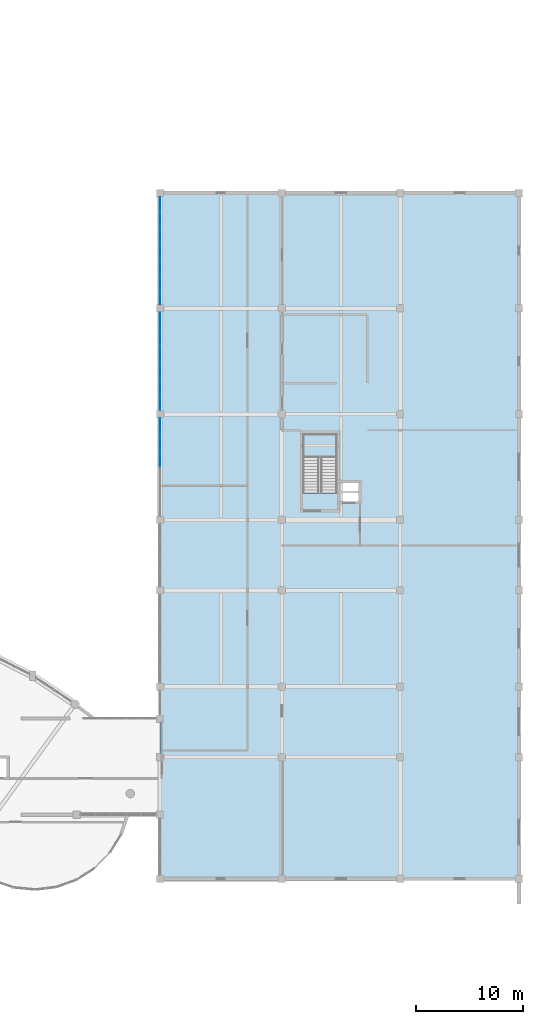
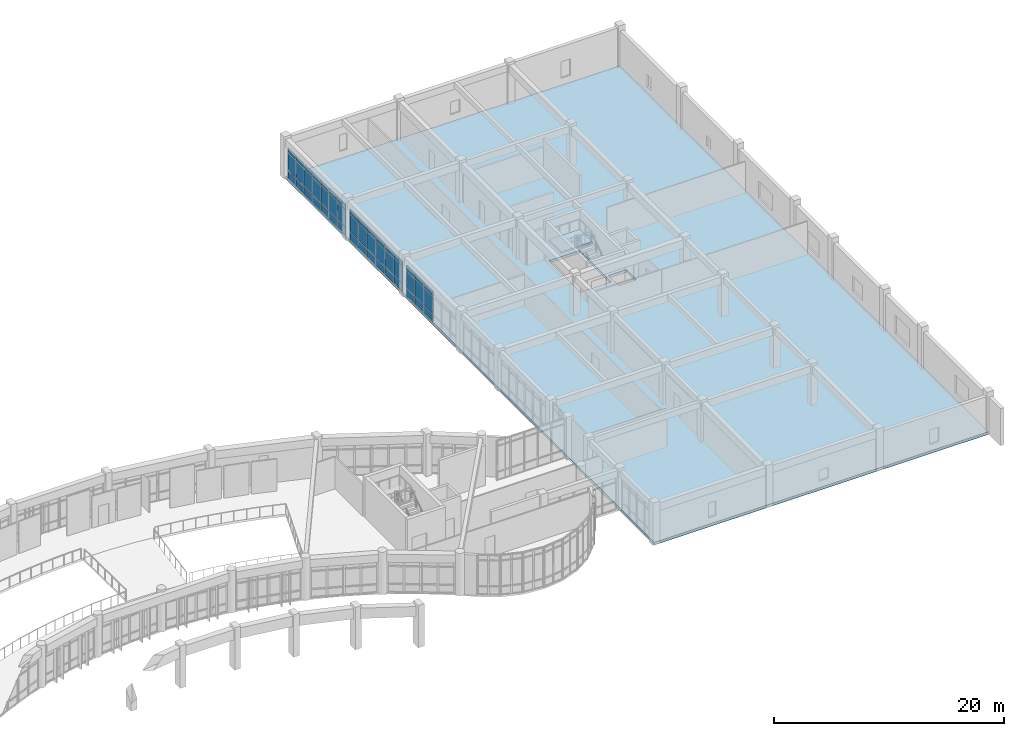
# One storey, part 41 of 57: 48 plates, 2 slabs, 4 elements without a shape of their own.
"""IFC4 building model written with IfcOpenShell, lengths in metres."""

from ifc_helpers import new_model, si_unit, direction, frame, origin, origin_2d, place, context, subcontext, project, spatial, polyline, rectangle, outline, extrude, material, layer, layer_set, type_object, element, aggregate, save


model = new_model("IFC4")

# Units and contexts
model_context = context("Model", 3, precision=1e-05, world=origin(), true_north=direction((0.0, 1.0)))
body_context = subcontext(model_context, "Body", "Model", "MODEL_VIEW")
ifc_project = project(units=[si_unit("LENGTHUNIT", "METRE"), si_unit("AREAUNIT", "SQUARE_METRE"), si_unit("VOLUMEUNIT", "CUBIC_METRE"), si_unit("PLANEANGLEUNIT", "RADIAN"), si_unit("MASSUNIT", "GRAM", prefix="KILO")], contexts=[model_context])

# Site, building, storey
site_placement = place(None, origin())
site = spatial("IfcSite", under=ifc_project, at=site_placement, CompositionType="ELEMENT")
building_placement = place(site_placement, origin())
building = spatial("IfcBuilding", under=site, at=building_placement, Name="Miralva Faculty of Natural Sciences", CompositionType="ELEMENT")
storey_placement = place(building_placement, frame((0.0, 0.0, 15.0)))
storey = spatial("IfcBuildingStorey", under=building, at=storey_placement, Name="L03", CompositionType="ELEMENT", Elevation=15.0)

# Curtain wall, plates
ifc_material_1 = material(Name="Laminated solar-control glass", Category="glass")
ifc_layer_1 = layer(ifc_material_1, 0.179931640625, Name="CW-COM-L03")
ifc_layer_set_1 = layer_set([ifc_layer_1], Name="Laminated solar-control glass")
curtain_wall_type = type_object("IfcCurtainWallType", Name="CW-COM-L03", PredefinedType="USERDEFINED", material=ifc_layer_set_1)
curtain_wall_1_placement = place(storey_placement, origin())
curtain_wall_1 = element("IfcCurtainWall", 1, at=curtain_wall_1_placement, inside=storey, type_object=curtain_wall_type, Name="Curtain wall CW-11 L03-279", ObjectType="UNITISED CURTAIN WALL", PredefinedType="USERDEFINED")
ifc_layer_2 = layer(ifc_material_1, 0.028076171875, Name="PNL-P01")
ifc_layer_set_2 = layer_set([ifc_layer_2], Name="Laminated solar-control glass")
plate_type = type_object("IfcPlateType", Name="PNL-P01", PredefinedType="CURTAIN_PANEL", material=ifc_layer_set_2)
plate_1_placement = place(storey_placement, frame((133.800048828125, 51.319091796875, 0.06005859375), z_axis=(0.0, 0.0, 1.0), x_axis=(0.0, 1.0, 0.0)))
plate_1 = element("IfcPlate", 2, at=plate_1_placement, type_object=plate_type, Name="CW-11 panel 4.1", PredefinedType="CURTAIN_PANEL", context=body_context, shape_type="SweptSolid", body=[
    extrude(rectangle(XDim=1.478271484375, YDim=0.028076171875, at=origin_2d()), origin(), (0.0, 0.0, 1.0), 0.81005859375),
])
plate_2_placement = place(storey_placement, frame((133.800048828125, 51.319091796875, 0.929931640625), z_axis=(0.0, 0.0, 1.0), x_axis=(0.0, 1.0, 0.0)))
plate_2 = element("IfcPlate", 3, at=plate_2_placement, type_object=plate_type, Name="CW-11 panel 4.2", PredefinedType="CURTAIN_PANEL", context=body_context, shape_type="SweptSolid", body=[
    extrude(rectangle(XDim=1.478271484375, YDim=0.028076171875, at=origin_2d()), origin(), (0.0, 0.0, 1.0), 1.794921875),
])
plate_3_placement = place(storey_placement, frame((133.800048828125, 51.319091796875, 2.78515625), z_axis=(0.0, 0.0, 1.0), x_axis=(0.0, 1.0, 0.0)))
plate_3 = element("IfcPlate", 4, at=plate_3_placement, type_object=plate_type, Name="CW-11 panel 4.3", PredefinedType="CURTAIN_PANEL", context=body_context, shape_type="SweptSolid", body=[
    extrude(rectangle(XDim=1.478271484375, YDim=0.028076171875, at=origin_2d()), origin(), (0.0, 0.0, 1.0), 0.510009765625),
])
plate_4_placement = place(storey_placement, frame((133.800048828125, 52.857421875, 0.06005859375), z_axis=(0.0, 0.0, 1.0), x_axis=(0.0, 1.0, 0.0)))
plate_4 = element("IfcPlate", 5, at=plate_4_placement, type_object=plate_type, Name="CW-11 panel 5.1", PredefinedType="CURTAIN_PANEL", context=body_context, shape_type="SweptSolid", body=[
    extrude(rectangle(XDim=1.478271484375, YDim=0.028076171875, at=origin_2d()), origin(), (0.0, 0.0, 1.0), 0.81005859375),
])
plate_5_placement = place(storey_placement, frame((133.800048828125, 52.857421875, 0.929931640625), z_axis=(0.0, 0.0, 1.0), x_axis=(0.0, 1.0, 0.0)))
plate_5 = element("IfcPlate", 6, at=plate_5_placement, type_object=plate_type, Name="CW-11 panel 5.2", PredefinedType="CURTAIN_PANEL", context=body_context, shape_type="SweptSolid", body=[
    extrude(rectangle(XDim=1.478271484375, YDim=0.028076171875, at=origin_2d()), origin(), (0.0, 0.0, 1.0), 1.794921875),
])
plate_6_placement = place(storey_placement, frame((133.800048828125, 52.857421875, 2.78515625), z_axis=(0.0, 0.0, 1.0), x_axis=(0.0, 1.0, 0.0)))
plate_6 = element("IfcPlate", 7, at=plate_6_placement, type_object=plate_type, Name="CW-11 panel 5.3", PredefinedType="CURTAIN_PANEL", context=body_context, shape_type="SweptSolid", body=[
    extrude(rectangle(XDim=1.478271484375, YDim=0.028076171875, at=origin_2d()), origin(), (0.0, 0.0, 1.0), 0.510009765625),
])
plate_7_placement = place(storey_placement, frame((133.800048828125, 54.380859375, 0.06005859375), z_axis=(0.0, 0.0, 1.0), x_axis=(0.0, 1.0, 0.0)))
plate_7 = element("IfcPlate", 8, at=plate_7_placement, type_object=plate_type, Name="CW-11 panel 6.1", PredefinedType="CURTAIN_PANEL", context=body_context, shape_type="SweptSolid", body=[
    extrude(rectangle(XDim=1.4482421875, YDim=0.028076171875, at=origin_2d()), origin(), (0.0, 0.0, 1.0), 0.81005859375),
])
plate_8_placement = place(storey_placement, frame((133.800048828125, 54.380859375, 0.929931640625), z_axis=(0.0, 0.0, 1.0), x_axis=(0.0, 1.0, 0.0)))
plate_8 = element("IfcPlate", 9, at=plate_8_placement, type_object=plate_type, Name="CW-11 panel 6.2", PredefinedType="CURTAIN_PANEL", context=body_context, shape_type="SweptSolid", body=[
    extrude(rectangle(XDim=1.4482421875, YDim=0.028076171875, at=origin_2d()), origin(), (0.0, 0.0, 1.0), 1.794921875),
])
plate_9_placement = place(storey_placement, frame((133.800048828125, 54.380859375, 2.78515625), z_axis=(0.0, 0.0, 1.0), x_axis=(0.0, 1.0, 0.0)))
plate_9 = element("IfcPlate", 10, at=plate_9_placement, type_object=plate_type, Name="CW-11 panel 6.3", PredefinedType="CURTAIN_PANEL", context=body_context, shape_type="SweptSolid", body=[
    extrude(rectangle(XDim=1.4482421875, YDim=0.028076171875, at=origin_2d()), origin(), (0.0, 0.0, 1.0), 0.510009765625),
])
aggregate(curtain_wall_1, [plate_1, plate_2, plate_3, plate_4, plate_5, plate_6, plate_7, plate_8, plate_9])

curtain_wall_2_placement = place(storey_placement, origin())
curtain_wall_2 = element("IfcCurtainWall", 11, at=curtain_wall_2_placement, inside=storey, type_object=curtain_wall_type, Name="Curtain wall CW-11 L03-280", ObjectType="UNITISED CURTAIN WALL", PredefinedType="USERDEFINED")
plate_10_placement = place(storey_placement, frame((133.800048828125, 56.619140625, 0.06005859375), z_axis=(0.0, 0.0, 1.0), x_axis=(0.0, 1.0, 0.0)))
plate_10 = element("IfcPlate", 12, at=plate_10_placement, type_object=plate_type, Name="CW-11 panel 1.1", PredefinedType="CURTAIN_PANEL", context=body_context, shape_type="SweptSolid", body=[
    extrude(rectangle(XDim=1.4482421875, YDim=0.028076171875, at=origin_2d()), origin(), (0.0, 0.0, 1.0), 0.81005859375),
])
plate_11_placement = place(storey_placement, frame((133.800048828125, 56.619140625, 0.929931640625), z_axis=(0.0, 0.0, 1.0), x_axis=(0.0, 1.0, 0.0)))
plate_11 = element("IfcPlate", 13, at=plate_11_placement, type_object=plate_type, Name="CW-11 panel 1.2", PredefinedType="CURTAIN_PANEL", context=body_context, shape_type="SweptSolid", body=[
    extrude(rectangle(XDim=1.4482421875, YDim=0.028076171875, at=origin_2d()), origin(), (0.0, 0.0, 1.0), 1.794921875),
])
plate_12_placement = place(storey_placement, frame((133.800048828125, 56.619140625, 2.78515625), z_axis=(0.0, 0.0, 1.0), x_axis=(0.0, 1.0, 0.0)))
plate_12 = element("IfcPlate", 14, at=plate_12_placement, type_object=plate_type, Name="CW-11 panel 1.3", PredefinedType="CURTAIN_PANEL", context=body_context, shape_type="SweptSolid", body=[
    extrude(rectangle(XDim=1.4482421875, YDim=0.028076171875, at=origin_2d()), origin(), (0.0, 0.0, 1.0), 0.510009765625),
])
plate_13_placement = place(storey_placement, frame((133.800048828125, 58.142578125, 0.06005859375), z_axis=(0.0, 0.0, 1.0), x_axis=(0.0, 1.0, 0.0)))
plate_13 = element("IfcPlate", 15, at=plate_13_placement, type_object=plate_type, Name="CW-11 panel 2.1", PredefinedType="CURTAIN_PANEL", context=body_context, shape_type="SweptSolid", body=[
    extrude(rectangle(XDim=1.478271484375, YDim=0.028076171875, at=origin_2d()), origin(), (0.0, 0.0, 1.0), 0.81005859375),
])
plate_14_placement = place(storey_placement, frame((133.800048828125, 58.142578125, 0.929931640625), z_axis=(0.0, 0.0, 1.0), x_axis=(0.0, 1.0, 0.0)))
plate_14 = element("IfcPlate", 16, at=plate_14_placement, type_object=plate_type, Name="CW-11 panel 2.2", PredefinedType="CURTAIN_PANEL", context=body_context, shape_type="SweptSolid", body=[
    extrude(rectangle(XDim=1.478271484375, YDim=0.028076171875, at=origin_2d()), origin(), (0.0, 0.0, 1.0), 1.794921875),
])
plate_15_placement = place(storey_placement, frame((133.800048828125, 58.142578125, 2.78515625), z_axis=(0.0, 0.0, 1.0), x_axis=(0.0, 1.0, 0.0)))
plate_15 = element("IfcPlate", 17, at=plate_15_placement, type_object=plate_type, Name="CW-11 panel 2.3", PredefinedType="CURTAIN_PANEL", context=body_context, shape_type="SweptSolid", body=[
    extrude(rectangle(XDim=1.478271484375, YDim=0.028076171875, at=origin_2d()), origin(), (0.0, 0.0, 1.0), 0.510009765625),
])
plate_16_placement = place(storey_placement, frame((133.800048828125, 59.680908203125, 0.06005859375), z_axis=(0.0, 0.0, 1.0), x_axis=(0.0, 1.0, 0.0)))
plate_16 = element("IfcPlate", 18, at=plate_16_placement, type_object=plate_type, Name="CW-11 panel 3.1", PredefinedType="CURTAIN_PANEL", context=body_context, shape_type="SweptSolid", body=[
    extrude(rectangle(XDim=1.478271484375, YDim=0.028076171875, at=origin_2d()), origin(), (0.0, 0.0, 1.0), 0.81005859375),
])
plate_17_placement = place(storey_placement, frame((133.800048828125, 59.680908203125, 0.929931640625), z_axis=(0.0, 0.0, 1.0), x_axis=(0.0, 1.0, 0.0)))
plate_17 = element("IfcPlate", 19, at=plate_17_placement, type_object=plate_type, Name="CW-11 panel 3.2", PredefinedType="CURTAIN_PANEL", context=body_context, shape_type="SweptSolid", body=[
    extrude(rectangle(XDim=1.478271484375, YDim=0.028076171875, at=origin_2d()), origin(), (0.0, 0.0, 1.0), 1.794921875),
])
plate_18_placement = place(storey_placement, frame((133.800048828125, 59.680908203125, 2.78515625), z_axis=(0.0, 0.0, 1.0), x_axis=(0.0, 1.0, 0.0)))
plate_18 = element("IfcPlate", 20, at=plate_18_placement, type_object=plate_type, Name="CW-11 panel 3.3", PredefinedType="CURTAIN_PANEL", context=body_context, shape_type="SweptSolid", body=[
    extrude(rectangle(XDim=1.478271484375, YDim=0.028076171875, at=origin_2d()), origin(), (0.0, 0.0, 1.0), 0.510009765625),
])
plate_19_placement = place(storey_placement, frame((133.800048828125, 61.21923828125, 0.06005859375), z_axis=(0.0, 0.0, 1.0), x_axis=(0.0, 1.0, 0.0)))
plate_19 = element("IfcPlate", 21, at=plate_19_placement, type_object=plate_type, Name="CW-11 panel 4.1", PredefinedType="CURTAIN_PANEL", context=body_context, shape_type="SweptSolid", body=[
    extrude(rectangle(XDim=1.478271484375, YDim=0.028076171875, at=origin_2d()), origin(), (0.0, 0.0, 1.0), 0.81005859375),
])
plate_20_placement = place(storey_placement, frame((133.800048828125, 61.21923828125, 0.929931640625), z_axis=(0.0, 0.0, 1.0), x_axis=(0.0, 1.0, 0.0)))
plate_20 = element("IfcPlate", 22, at=plate_20_placement, type_object=plate_type, Name="CW-11 panel 4.2", PredefinedType="CURTAIN_PANEL", context=body_context, shape_type="SweptSolid", body=[
    extrude(rectangle(XDim=1.478271484375, YDim=0.028076171875, at=origin_2d()), origin(), (0.0, 0.0, 1.0), 1.794921875),
])
plate_21_placement = place(storey_placement, frame((133.800048828125, 61.21923828125, 2.78515625), z_axis=(0.0, 0.0, 1.0), x_axis=(0.0, 1.0, 0.0)))
plate_21 = element("IfcPlate", 23, at=plate_21_placement, type_object=plate_type, Name="CW-11 panel 4.3", PredefinedType="CURTAIN_PANEL", context=body_context, shape_type="SweptSolid", body=[
    extrude(rectangle(XDim=1.478271484375, YDim=0.028076171875, at=origin_2d()), origin(), (0.0, 0.0, 1.0), 0.510009765625),
])
plate_22_placement = place(storey_placement, frame((133.800048828125, 62.757568359375, 0.06005859375), z_axis=(0.0, 0.0, 1.0), x_axis=(0.0, 1.0, 0.0)))
plate_22 = element("IfcPlate", 24, at=plate_22_placement, type_object=plate_type, Name="CW-11 panel 5.1", PredefinedType="CURTAIN_PANEL", context=body_context, shape_type="SweptSolid", body=[
    extrude(rectangle(XDim=1.478271484375, YDim=0.028076171875, at=origin_2d()), origin(), (0.0, 0.0, 1.0), 0.81005859375),
])
plate_23_placement = place(storey_placement, frame((133.800048828125, 62.757568359375, 0.929931640625), z_axis=(0.0, 0.0, 1.0), x_axis=(0.0, 1.0, 0.0)))
plate_23 = element("IfcPlate", 25, at=plate_23_placement, type_object=plate_type, Name="CW-11 panel 5.2", PredefinedType="CURTAIN_PANEL", context=body_context, shape_type="SweptSolid", body=[
    extrude(rectangle(XDim=1.478271484375, YDim=0.028076171875, at=origin_2d()), origin(), (0.0, 0.0, 1.0), 1.794921875),
])
plate_24_placement = place(storey_placement, frame((133.800048828125, 62.757568359375, 2.78515625), z_axis=(0.0, 0.0, 1.0), x_axis=(0.0, 1.0, 0.0)))
plate_24 = element("IfcPlate", 26, at=plate_24_placement, type_object=plate_type, Name="CW-11 panel 5.3", PredefinedType="CURTAIN_PANEL", context=body_context, shape_type="SweptSolid", body=[
    extrude(rectangle(XDim=1.478271484375, YDim=0.028076171875, at=origin_2d()), origin(), (0.0, 0.0, 1.0), 0.510009765625),
])
plate_25_placement = place(storey_placement, frame((133.800048828125, 64.28076171875, 0.06005859375), z_axis=(0.0, 0.0, 1.0), x_axis=(0.0, 1.0, 0.0)))
plate_25 = element("IfcPlate", 27, at=plate_25_placement, type_object=plate_type, Name="CW-11 panel 6.1", PredefinedType="CURTAIN_PANEL", context=body_context, shape_type="SweptSolid", body=[
    extrude(rectangle(XDim=1.4482421875, YDim=0.028076171875, at=origin_2d()), origin(), (0.0, 0.0, 1.0), 0.81005859375),
])
plate_26_placement = place(storey_placement, frame((133.800048828125, 64.28076171875, 0.929931640625), z_axis=(0.0, 0.0, 1.0), x_axis=(0.0, 1.0, 0.0)))
plate_26 = element("IfcPlate", 28, at=plate_26_placement, type_object=plate_type, Name="CW-11 panel 6.2", PredefinedType="CURTAIN_PANEL", context=body_context, shape_type="SweptSolid", body=[
    extrude(rectangle(XDim=1.4482421875, YDim=0.028076171875, at=origin_2d()), origin(), (0.0, 0.0, 1.0), 1.794921875),
])
plate_27_placement = place(storey_placement, frame((133.800048828125, 64.28076171875, 2.78515625), z_axis=(0.0, 0.0, 1.0), x_axis=(0.0, 1.0, 0.0)))
plate_27 = element("IfcPlate", 29, at=plate_27_placement, type_object=plate_type, Name="CW-11 panel 6.3", PredefinedType="CURTAIN_PANEL", context=body_context, shape_type="SweptSolid", body=[
    extrude(rectangle(XDim=1.4482421875, YDim=0.028076171875, at=origin_2d()), origin(), (0.0, 0.0, 1.0), 0.510009765625),
])
aggregate(curtain_wall_2, [plate_10, plate_11, plate_12, plate_13, plate_14, plate_15, plate_16, plate_17, plate_18, plate_19, plate_20, plate_21, plate_22, plate_23, plate_24, plate_25, plate_26, plate_27])

curtain_wall_3_placement = place(storey_placement, origin())
curtain_wall_3 = element("IfcCurtainWall", 30, at=curtain_wall_3_placement, inside=storey, type_object=curtain_wall_type, Name="Curtain wall CW-11 L03-281", ObjectType="UNITISED CURTAIN WALL", PredefinedType="USERDEFINED")
plate_28_placement = place(storey_placement, frame((133.800048828125, 66.4736328125, 0.06005859375), z_axis=(0.0, 0.0, 1.0), x_axis=(0.0, 1.0, 0.0)))
plate_28 = element("IfcPlate", 31, at=plate_28_placement, type_object=plate_type, Name="CW-11 panel 1.1", PredefinedType="CURTAIN_PANEL", context=body_context, shape_type="SweptSolid", body=[
    extrude(rectangle(XDim=1.357177734375, YDim=0.028076171875, at=origin_2d()), origin(), (0.0, 0.0, 1.0), 0.81005859375),
])
plate_29_placement = place(storey_placement, frame((133.800048828125, 66.4736328125, 0.929931640625), z_axis=(0.0, 0.0, 1.0), x_axis=(0.0, 1.0, 0.0)))
plate_29 = element("IfcPlate", 32, at=plate_29_placement, type_object=plate_type, Name="CW-11 panel 1.2", PredefinedType="CURTAIN_PANEL", context=body_context, shape_type="SweptSolid", body=[
    extrude(rectangle(XDim=1.357177734375, YDim=0.028076171875, at=origin_2d()), origin(), (0.0, 0.0, 1.0), 1.794921875),
])
plate_30_placement = place(storey_placement, frame((133.800048828125, 66.4736328125, 2.78515625), z_axis=(0.0, 0.0, 1.0), x_axis=(0.0, 1.0, 0.0)))
plate_30 = element("IfcPlate", 33, at=plate_30_placement, type_object=plate_type, Name="CW-11 panel 1.3", PredefinedType="CURTAIN_PANEL", context=body_context, shape_type="SweptSolid", body=[
    extrude(rectangle(XDim=1.357177734375, YDim=0.028076171875, at=origin_2d()), origin(), (0.0, 0.0, 1.0), 0.510009765625),
])
plate_31_placement = place(storey_placement, frame((133.800048828125, 67.90576171875, 0.06005859375), z_axis=(0.0, 0.0, 1.0), x_axis=(0.0, 1.0, 0.0)))
plate_31 = element("IfcPlate", 34, at=plate_31_placement, type_object=plate_type, Name="CW-11 panel 2.1", PredefinedType="CURTAIN_PANEL", context=body_context, shape_type="SweptSolid", body=[
    extrude(rectangle(XDim=1.38720703125, YDim=0.028076171875, at=origin_2d()), origin(), (0.0, 0.0, 1.0), 0.81005859375),
])
plate_32_placement = place(storey_placement, frame((133.800048828125, 67.90576171875, 0.929931640625), z_axis=(0.0, 0.0, 1.0), x_axis=(0.0, 1.0, 0.0)))
plate_32 = element("IfcPlate", 35, at=plate_32_placement, type_object=plate_type, Name="CW-11 panel 2.2", PredefinedType="CURTAIN_PANEL", context=body_context, shape_type="SweptSolid", body=[
    extrude(rectangle(XDim=1.38720703125, YDim=0.028076171875, at=origin_2d()), origin(), (0.0, 0.0, 1.0), 1.794921875),
])
plate_33_placement = place(storey_placement, frame((133.800048828125, 67.90576171875, 2.78515625), z_axis=(0.0, 0.0, 1.0), x_axis=(0.0, 1.0, 0.0)))
plate_33 = element("IfcPlate", 36, at=plate_33_placement, type_object=plate_type, Name="CW-11 panel 2.3", PredefinedType="CURTAIN_PANEL", context=body_context, shape_type="SweptSolid", body=[
    extrude(rectangle(XDim=1.38720703125, YDim=0.028076171875, at=origin_2d()), origin(), (0.0, 0.0, 1.0), 0.510009765625),
])
plate_34_placement = place(storey_placement, frame((133.800048828125, 69.352783203125, 0.06005859375), z_axis=(0.0, 0.0, 1.0), x_axis=(0.0, 1.0, 0.0)))
plate_34 = element("IfcPlate", 37, at=plate_34_placement, type_object=plate_type, Name="CW-11 panel 3.1", PredefinedType="CURTAIN_PANEL", context=body_context, shape_type="SweptSolid", body=[
    extrude(rectangle(XDim=1.38720703125, YDim=0.028076171875, at=origin_2d()), origin(), (0.0, 0.0, 1.0), 0.81005859375),
])
plate_35_placement = place(storey_placement, frame((133.800048828125, 69.352783203125, 0.929931640625), z_axis=(0.0, 0.0, 1.0), x_axis=(0.0, 1.0, 0.0)))
plate_35 = element("IfcPlate", 38, at=plate_35_placement, type_object=plate_type, Name="CW-11 panel 3.2", PredefinedType="CURTAIN_PANEL", context=body_context, shape_type="SweptSolid", body=[
    extrude(rectangle(XDim=1.38720703125, YDim=0.028076171875, at=origin_2d()), origin(), (0.0, 0.0, 1.0), 1.794921875),
])
plate_36_placement = place(storey_placement, frame((133.800048828125, 69.352783203125, 2.78515625), z_axis=(0.0, 0.0, 1.0), x_axis=(0.0, 1.0, 0.0)))
plate_36 = element("IfcPlate", 39, at=plate_36_placement, type_object=plate_type, Name="CW-11 panel 3.3", PredefinedType="CURTAIN_PANEL", context=body_context, shape_type="SweptSolid", body=[
    extrude(rectangle(XDim=1.38720703125, YDim=0.028076171875, at=origin_2d()), origin(), (0.0, 0.0, 1.0), 0.510009765625),
])
plate_37_placement = place(storey_placement, frame((133.800048828125, 70.800048828125, 0.06005859375), z_axis=(0.0, 0.0, 1.0), x_axis=(0.0, 1.0, 0.0)))
plate_37 = element("IfcPlate", 40, at=plate_37_placement, type_object=plate_type, Name="CW-11 panel 4.1", PredefinedType="CURTAIN_PANEL", context=body_context, shape_type="SweptSolid", body=[
    extrude(rectangle(XDim=1.38720703125, YDim=0.028076171875, at=origin_2d()), origin(), (0.0, 0.0, 1.0), 0.81005859375),
])
plate_38_placement = place(storey_placement, frame((133.800048828125, 70.800048828125, 0.929931640625), z_axis=(0.0, 0.0, 1.0), x_axis=(0.0, 1.0, 0.0)))
plate_38 = element("IfcPlate", 41, at=plate_38_placement, type_object=plate_type, Name="CW-11 panel 4.2", PredefinedType="CURTAIN_PANEL", context=body_context, shape_type="SweptSolid", body=[
    extrude(rectangle(XDim=1.38720703125, YDim=0.028076171875, at=origin_2d()), origin(), (0.0, 0.0, 1.0), 1.794921875),
])
plate_39_placement = place(storey_placement, frame((133.800048828125, 70.800048828125, 2.78515625), z_axis=(0.0, 0.0, 1.0), x_axis=(0.0, 1.0, 0.0)))
plate_39 = element("IfcPlate", 42, at=plate_39_placement, type_object=plate_type, Name="CW-11 panel 4.3", PredefinedType="CURTAIN_PANEL", context=body_context, shape_type="SweptSolid", body=[
    extrude(rectangle(XDim=1.38720703125, YDim=0.028076171875, at=origin_2d()), origin(), (0.0, 0.0, 1.0), 0.510009765625),
])
plate_40_placement = place(storey_placement, frame((133.800048828125, 72.2470703125, 0.06005859375), z_axis=(0.0, 0.0, 1.0), x_axis=(0.0, 1.0, 0.0)))
plate_40 = element("IfcPlate", 43, at=plate_40_placement, type_object=plate_type, Name="CW-11 panel 5.1", PredefinedType="CURTAIN_PANEL", context=body_context, shape_type="SweptSolid", body=[
    extrude(rectangle(XDim=1.38720703125, YDim=0.028076171875, at=origin_2d()), origin(), (0.0, 0.0, 1.0), 0.81005859375),
])
plate_41_placement = place(storey_placement, frame((133.800048828125, 72.2470703125, 0.929931640625), z_axis=(0.0, 0.0, 1.0), x_axis=(0.0, 1.0, 0.0)))
plate_41 = element("IfcPlate", 44, at=plate_41_placement, type_object=plate_type, Name="CW-11 panel 5.2", PredefinedType="CURTAIN_PANEL", context=body_context, shape_type="SweptSolid", body=[
    extrude(rectangle(XDim=1.38720703125, YDim=0.028076171875, at=origin_2d()), origin(), (0.0, 0.0, 1.0), 1.794921875),
])
plate_42_placement = place(storey_placement, frame((133.800048828125, 72.2470703125, 2.78515625), z_axis=(0.0, 0.0, 1.0), x_axis=(0.0, 1.0, 0.0)))
plate_42 = element("IfcPlate", 45, at=plate_42_placement, type_object=plate_type, Name="CW-11 panel 5.3", PredefinedType="CURTAIN_PANEL", context=body_context, shape_type="SweptSolid", body=[
    extrude(rectangle(XDim=1.38720703125, YDim=0.028076171875, at=origin_2d()), origin(), (0.0, 0.0, 1.0), 0.510009765625),
])
plate_43_placement = place(storey_placement, frame((133.800048828125, 73.6943359375, 0.06005859375), z_axis=(0.0, 0.0, 1.0), x_axis=(0.0, 1.0, 0.0)))
plate_43 = element("IfcPlate", 46, at=plate_43_placement, type_object=plate_type, Name="CW-11 panel 6.1", PredefinedType="CURTAIN_PANEL", context=body_context, shape_type="SweptSolid", body=[
    extrude(rectangle(XDim=1.38720703125, YDim=0.028076171875, at=origin_2d()), origin(), (0.0, 0.0, 1.0), 0.81005859375),
])
plate_44_placement = place(storey_placement, frame((133.800048828125, 73.6943359375, 0.929931640625), z_axis=(0.0, 0.0, 1.0), x_axis=(0.0, 1.0, 0.0)))
plate_44 = element("IfcPlate", 47, at=plate_44_placement, type_object=plate_type, Name="CW-11 panel 6.2", PredefinedType="CURTAIN_PANEL", context=body_context, shape_type="SweptSolid", body=[
    extrude(rectangle(XDim=1.38720703125, YDim=0.028076171875, at=origin_2d()), origin(), (0.0, 0.0, 1.0), 1.794921875),
])
plate_45_placement = place(storey_placement, frame((133.800048828125, 73.6943359375, 2.78515625), z_axis=(0.0, 0.0, 1.0), x_axis=(0.0, 1.0, 0.0)))
plate_45 = element("IfcPlate", 48, at=plate_45_placement, type_object=plate_type, Name="CW-11 panel 6.3", PredefinedType="CURTAIN_PANEL", context=body_context, shape_type="SweptSolid", body=[
    extrude(rectangle(XDim=1.38720703125, YDim=0.028076171875, at=origin_2d()), origin(), (0.0, 0.0, 1.0), 0.510009765625),
])
plate_46_placement = place(storey_placement, frame((133.800048828125, 75.12646484375, 0.06005859375), z_axis=(0.0, 0.0, 1.0), x_axis=(0.0, 1.0, 0.0)))
plate_46 = element("IfcPlate", 49, at=plate_46_placement, type_object=plate_type, Name="CW-11 panel 7.1", PredefinedType="CURTAIN_PANEL", context=body_context, shape_type="SweptSolid", body=[
    extrude(rectangle(XDim=1.357177734375, YDim=0.028076171875, at=origin_2d()), origin(), (0.0, 0.0, 1.0), 0.81005859375),
])
plate_47_placement = place(storey_placement, frame((133.800048828125, 75.12646484375, 0.929931640625), z_axis=(0.0, 0.0, 1.0), x_axis=(0.0, 1.0, 0.0)))
plate_47 = element("IfcPlate", 50, at=plate_47_placement, type_object=plate_type, Name="CW-11 panel 7.2", PredefinedType="CURTAIN_PANEL", context=body_context, shape_type="SweptSolid", body=[
    extrude(rectangle(XDim=1.357177734375, YDim=0.028076171875, at=origin_2d()), origin(), (0.0, 0.0, 1.0), 1.794921875),
])
plate_48_placement = place(storey_placement, frame((133.800048828125, 75.12646484375, 2.78515625), z_axis=(0.0, 0.0, 1.0), x_axis=(0.0, 1.0, 0.0)))
plate_48 = element("IfcPlate", 51, at=plate_48_placement, type_object=plate_type, Name="CW-11 panel 7.3", PredefinedType="CURTAIN_PANEL", context=body_context, shape_type="SweptSolid", body=[
    extrude(rectangle(XDim=1.357177734375, YDim=0.028076171875, at=origin_2d()), origin(), (0.0, 0.0, 1.0), 0.510009765625),
])
aggregate(curtain_wall_3, [plate_28, plate_29, plate_30, plate_31, plate_32, plate_33, plate_34, plate_35, plate_36, plate_37, plate_38, plate_39, plate_40, plate_41, plate_42, plate_43, plate_44, plate_45, plate_46, plate_47, plate_48])

# Slab
ifc_material_2 = material(Name="Concrete C40/50", Category="concrete")
ifc_layer_3 = layer(ifc_material_2, 0.280029296875, Name="SL-FL02")
ifc_layer_set_3 = layer_set([ifc_layer_3], Name="Concrete C40/50")
slab_type_1 = type_object("IfcSlabType", Name="SL-FL02", PredefinedType="FLOOR", material=ifc_layer_set_3)
slab_1_placement = place(storey_placement, frame((0.0, 0.0, -0.280029296875)))
element("IfcSlab", 52, at=slab_1_placement, inside=storey, type_object=slab_type_1, Name="V2 L03 floor slab", PredefinedType="FLOOR", context=body_context, shape_type="SweptSolid", body=[
    extrude(outline(polyline([(167.39990234375, 12.0), (133.800048828125, 12.0), (133.800048828125, 76.199951171875), (167.39990234375, 76.199951171875), (167.39990234375, 12.0)]), holes=[polyline([(150.324951171875, 48.125), (147.22509765625, 48.125), (147.22509765625, 53.625), (150.324951171875, 53.625), (150.324951171875, 48.125)]), polyline([(152.39990234375, 47.324951171875), (150.60009765625, 47.324951171875), (150.60009765625, 49.074951171875), (152.39990234375, 49.074951171875), (152.39990234375, 47.324951171875)])]), origin(), (0.0, 0.0, 1.0), 0.280029296875),
])

# Stair, slab
stair_type = type_object("IfcStairType", Name="ST-CORE-450", PredefinedType="HALF_TURN_STAIR", material=ifc_material_2)
stair_placement = place(storey_placement, origin())
stair = element("IfcStair", 53, at=stair_placement, inside=storey, type_object=stair_type, Name="Exit Stair Core C4 (ST-03) L03", PredefinedType="HALF_TURN_STAIR")
ifc_layer_4 = layer(ifc_material_2, 0.18994140625, Name="SL-LD01")
ifc_layer_set_4 = layer_set([ifc_layer_4], Name="Concrete C40/50")
slab_type_2 = type_object("IfcSlabType", Name="SL-LD01", PredefinedType="LANDING", material=ifc_layer_set_4)
slab_2_placement = place(storey_placement, frame((0.0, 0.0, 2.06005859375)))
slab_2 = element("IfcSlab", 54, at=slab_2_placement, type_object=slab_type_2, Name="ST-03 landing 1", PredefinedType="LANDING", context=body_context, shape_type="SweptSolid", body=[
    extrude(outline(polyline([(150.35009765625, 51.4599609375), (150.35009765625, 53.64990234375), (147.199951171875, 53.64990234375), (147.199951171875, 51.4599609375), (150.35009765625, 51.4599609375)])), origin(), (0.0, 0.0, 1.0), 0.18994140625),
])
aggregate(stair, [slab_2])

save(model, "model.ifc")
